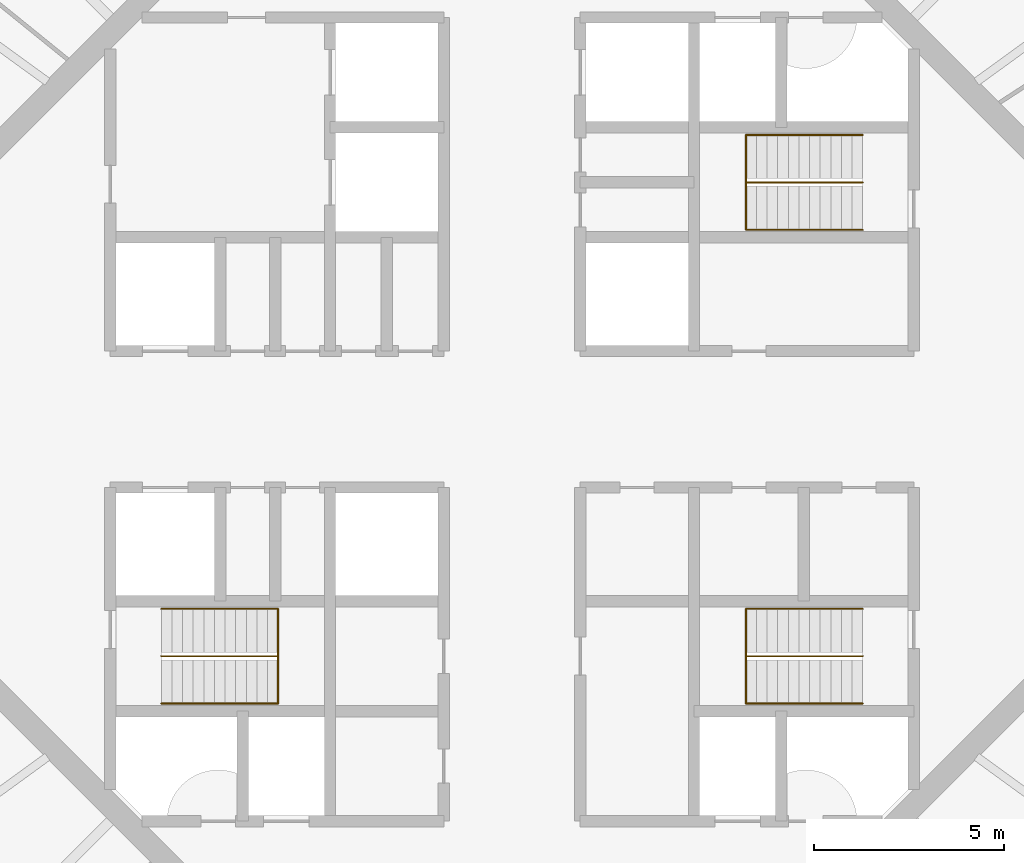
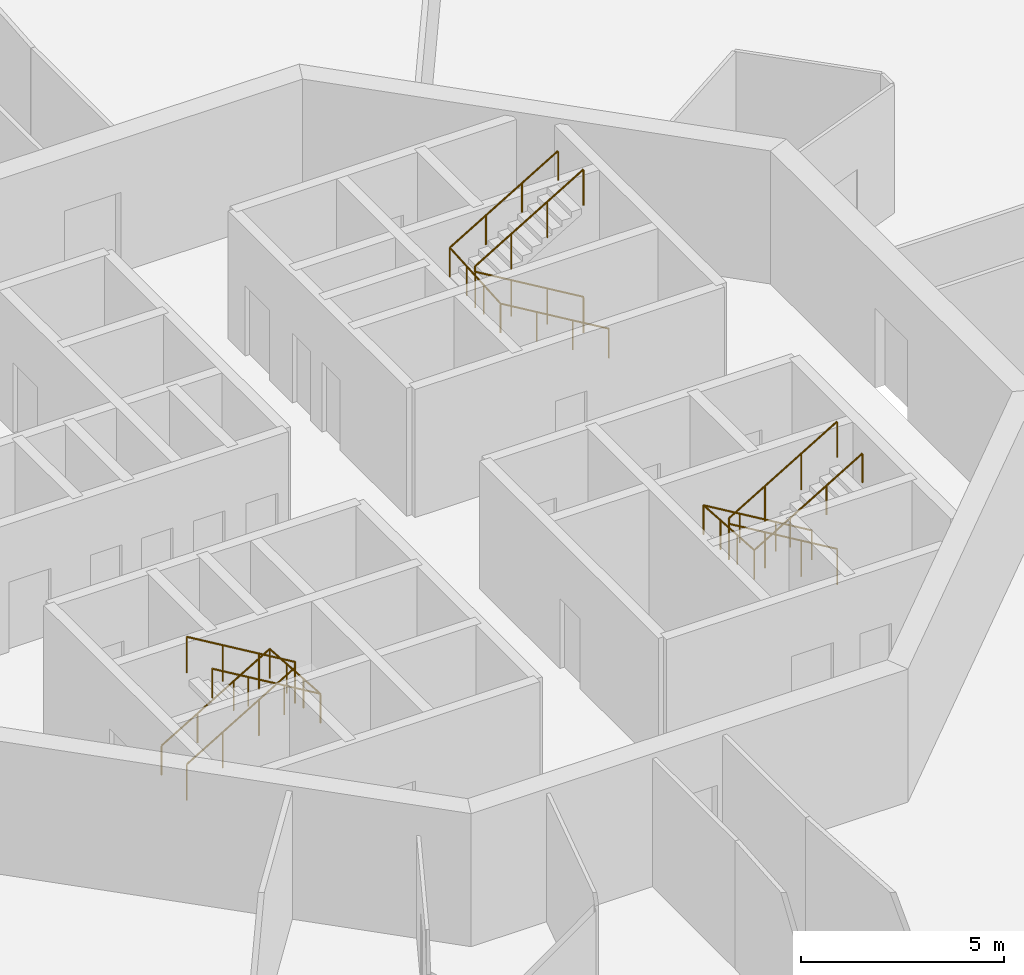
# One storey, part 13 of 13: 6 railings.
"""IFC4 building model written with IfcOpenShell, lengths in metres."""

from ifc_helpers import new_model, si_unit, direction, frame, origin, origin_2d, place, context, subcontext, project, spatial, circle, extrude, material, type_object, element, save


model = new_model("IFC4")

# Units and contexts
model_context = context("Model", 3, precision=1e-05, world=origin(), true_north=direction((0.0, 1.0)))
body_context = subcontext(model_context, "Body", "Model", "MODEL_VIEW")
ifc_project = project(units=[si_unit("LENGTHUNIT", "METRE"), si_unit("AREAUNIT", "SQUARE_METRE"), si_unit("VOLUMEUNIT", "CUBIC_METRE"), si_unit("PLANEANGLEUNIT", "RADIAN"), si_unit("MASSUNIT", "GRAM", prefix="KILO")], contexts=[model_context])

# Site, building, storey
site_placement = place(None, origin())
site = spatial("IfcSite", under=ifc_project, at=site_placement, CompositionType="ELEMENT")
building_placement = place(site_placement, origin())
building = spatial("IfcBuilding", under=site, at=building_placement, Name="Entoto Ring Tower", CompositionType="ELEMENT")
storey_placement = place(building_placement, frame((0.0, 0.0, 380.0)))
storey = spatial("IfcBuildingStorey", under=building, at=storey_placement, Name="L88", CompositionType="ELEMENT", Elevation=380.0)

# Railings
ifc_material_1 = material(Name="Steel S275", Category="steel")
railing_type_1 = type_object("IfcRailingType", Name="Stair guard 1100 mm steel", PredefinedType="GUARDRAIL", material=ifc_material_1)
railing_1_placement = place(storey_placement, frame((99.25, 86.25, 0.166748046875)))
element("IfcRailing", 1, at=railing_1_placement, inside=storey, type_object=railing_type_1, Name="Guard ST1", PredefinedType="GUARDRAIL", context=body_context, shape_type="SweptSolid", body=[
    extrude(circle(Radius=0.02392578125, at=origin_2d()), frame((0.0, 0.0, 1.076171875), z_axis=(-0.859308565015, 0.0, 0.511457515432), x_axis=(0.0, -1.0, 0.0)), (0.0, 0.0, 1.0), 3.58447265625),
    extrude(circle(Radius=0.02392578125, at=origin_2d()), frame((-3.080078125, 0.0, 2.9091796875), z_axis=(0.0, 0.0, 1.0), x_axis=(1.0, 0.0, 0.0)), (0.0, 0.0, 1.0), 0.166748046875),
    extrude(circle(Radius=0.02392578125, at=origin_2d()), frame((-3.080078125, 0.0, 3.076171875), z_axis=(0.859308565015, 0.0, 0.511457515432), x_axis=(0.0, 1.0, 0.0)), (0.0, 0.0, 1.0), 3.58447265625),
    extrude(circle(Radius=0.02099609375, at=origin_2d()), origin(), (0.0, 0.0, 1.0), 1.052001953125),
    extrude(circle(Radius=0.02099609375, at=origin_2d()), frame((-1.026611328125, 0.0, 0.611083984375)), (0.0, 0.0, 1.0), 1.052001953125),
    extrude(circle(Radius=0.02099609375, at=origin_2d()), frame((-2.053466796875, 0.0, 1.22216796875)), (0.0, 0.0, 1.0), 1.052001953125),
    extrude(circle(Radius=0.02099609375, at=origin_2d()), frame((-3.080078125, 0.0, 1.833251953125)), (0.0, 0.0, 1.0), 1.052001953125),
    extrude(circle(Radius=0.02099609375, at=origin_2d()), frame((-3.080078125, 0.0, 2.0)), (0.0, 0.0, 1.0), 1.052001953125),
    extrude(circle(Radius=0.02099609375, at=origin_2d()), frame((-2.053466796875, 0.0, 2.611083984375)), (0.0, 0.0, 1.0), 1.052001953125),
    extrude(circle(Radius=0.02099609375, at=origin_2d()), frame((-1.026611328125, 0.0, 3.22216796875)), (0.0, 0.0, 1.0), 1.052001953125),
    extrude(circle(Radius=0.02099609375, at=origin_2d()), frame((0.0, 0.0, 3.833251953125)), (0.0, 0.0, 1.0), 1.052001953125),
])
railing_2_placement = place(storey_placement, frame((80.75, 73.75, 0.166748046875)))
element("IfcRailing", 2, at=railing_2_placement, inside=storey, type_object=railing_type_1, Name="Guard ST2", PredefinedType="GUARDRAIL", context=body_context, shape_type="SweptSolid", body=[
    extrude(circle(Radius=0.02392578125, at=origin_2d()), frame((0.0, 0.0, 1.076171875), z_axis=(0.859308565015, 0.0, 0.511457515432), x_axis=(0.0, 1.0, 0.0)), (0.0, 0.0, 1.0), 3.58447265625),
    extrude(circle(Radius=0.02392578125, at=origin_2d()), frame((3.080078125, 0.0, 2.9091796875), z_axis=(0.0, 0.0, 1.0), x_axis=(1.0, 0.0, 0.0)), (0.0, 0.0, 1.0), 0.166748046875),
    extrude(circle(Radius=0.02392578125, at=origin_2d()), frame((3.080078125, 0.0, 3.076171875), z_axis=(-0.859308565015, 0.0, 0.511457515432), x_axis=(0.0, -1.0, 0.0)), (0.0, 0.0, 1.0), 3.58447265625),
    extrude(circle(Radius=0.02099609375, at=origin_2d()), origin(), (0.0, 0.0, 1.0), 1.052001953125),
    extrude(circle(Radius=0.02099609375, at=origin_2d()), frame((1.026611328125, 0.0, 0.611083984375)), (0.0, 0.0, 1.0), 1.052001953125),
    extrude(circle(Radius=0.02099609375, at=origin_2d()), frame((2.053466796875, 0.0, 1.22216796875)), (0.0, 0.0, 1.0), 1.052001953125),
    extrude(circle(Radius=0.02099609375, at=origin_2d()), frame((3.080078125, 0.0, 1.833251953125)), (0.0, 0.0, 1.0), 1.052001953125),
    extrude(circle(Radius=0.02099609375, at=origin_2d()), frame((3.080078125, 0.0, 2.0)), (0.0, 0.0, 1.0), 1.052001953125),
    extrude(circle(Radius=0.02099609375, at=origin_2d()), frame((2.053466796875, 0.0, 2.611083984375)), (0.0, 0.0, 1.0), 1.052001953125),
    extrude(circle(Radius=0.02099609375, at=origin_2d()), frame((1.026611328125, 0.0, 3.22216796875)), (0.0, 0.0, 1.0), 1.052001953125),
    extrude(circle(Radius=0.02099609375, at=origin_2d()), frame((0.0, 0.0, 3.833251953125)), (0.0, 0.0, 1.0), 1.052001953125),
])
railing_3_placement = place(storey_placement, frame((99.25, 73.75, 0.166748046875)))
element("IfcRailing", 3, at=railing_3_placement, inside=storey, type_object=railing_type_1, Name="Guard ST3", PredefinedType="GUARDRAIL", context=body_context, shape_type="SweptSolid", body=[
    extrude(circle(Radius=0.02392578125, at=origin_2d()), frame((0.0, 0.0, 1.076171875), z_axis=(-0.859308565015, 0.0, 0.511457515432), x_axis=(0.0, -1.0, 0.0)), (0.0, 0.0, 1.0), 3.58447265625),
    extrude(circle(Radius=0.02392578125, at=origin_2d()), frame((-3.080078125, 0.0, 2.9091796875), z_axis=(0.0, 0.0, 1.0), x_axis=(1.0, 0.0, 0.0)), (0.0, 0.0, 1.0), 0.166748046875),
    extrude(circle(Radius=0.02392578125, at=origin_2d()), frame((-3.080078125, 0.0, 3.076171875), z_axis=(0.859308565015, 0.0, 0.511457515432), x_axis=(0.0, 1.0, 0.0)), (0.0, 0.0, 1.0), 3.58447265625),
    extrude(circle(Radius=0.02099609375, at=origin_2d()), origin(), (0.0, 0.0, 1.0), 1.052001953125),
    extrude(circle(Radius=0.02099609375, at=origin_2d()), frame((-1.026611328125, 0.0, 0.611083984375)), (0.0, 0.0, 1.0), 1.052001953125),
    extrude(circle(Radius=0.02099609375, at=origin_2d()), frame((-2.053466796875, 0.0, 1.22216796875)), (0.0, 0.0, 1.0), 1.052001953125),
    extrude(circle(Radius=0.02099609375, at=origin_2d()), frame((-3.080078125, 0.0, 1.833251953125)), (0.0, 0.0, 1.0), 1.052001953125),
    extrude(circle(Radius=0.02099609375, at=origin_2d()), frame((-3.080078125, 0.0, 2.0)), (0.0, 0.0, 1.0), 1.052001953125),
    extrude(circle(Radius=0.02099609375, at=origin_2d()), frame((-2.053466796875, 0.0, 2.611083984375)), (0.0, 0.0, 1.0), 1.052001953125),
    extrude(circle(Radius=0.02099609375, at=origin_2d()), frame((-1.026611328125, 0.0, 3.22216796875)), (0.0, 0.0, 1.0), 1.052001953125),
    extrude(circle(Radius=0.02099609375, at=origin_2d()), frame((0.0, 0.0, 3.833251953125)), (0.0, 0.0, 1.0), 1.052001953125),
])
ifc_material_2 = material(Name="Steel S275", Category="steel")
railing_type_2 = type_object("IfcRailingType", Name="Stair handrail 900 mm steel", PredefinedType="HANDRAIL", material=ifc_material_2)
railing_4_placement = place(storey_placement, frame((99.25, 85.0, 0.166748046875)))
element("IfcRailing", 4, at=railing_4_placement, inside=storey, type_object=railing_type_2, Name="Handrail ST1", PredefinedType="HANDRAIL", context=body_context, shape_type="SweptSolid", body=[
    extrude(circle(Radius=0.02392578125, at=origin_2d()), frame((0.0, 0.0, 0.8759765625), z_axis=(-0.859308565015, 0.0, 0.511457515432), x_axis=(0.0, -1.0, 0.0)), (0.0, 0.0, 1.0), 3.58447265625),
    extrude(circle(Radius=0.02392578125, at=origin_2d()), frame((-3.080078125, 0.0, 2.708984375), z_axis=(0.0, 0.997783001586, 0.066551346688), x_axis=(-1.0, 0.0, 0.0)), (0.0, 0.0, 1.0), 2.505615234375),
    extrude(circle(Radius=0.02392578125, at=origin_2d()), frame((-3.080078125, 2.5, 2.8759765625), z_axis=(0.859308565015, 0.0, 0.511457515432), x_axis=(0.0, 1.0, 0.0)), (0.0, 0.0, 1.0), 3.58447265625),
    extrude(circle(Radius=0.02099609375, at=origin_2d()), origin(), (0.0, 0.0, 1.0), 0.851806640625),
    extrude(circle(Radius=0.02099609375, at=origin_2d()), frame((-1.026611328125, 0.0, 0.611083984375)), (0.0, 0.0, 1.0), 0.851806640625),
    extrude(circle(Radius=0.02099609375, at=origin_2d()), frame((-2.053466796875, 0.0, 1.22216796875)), (0.0, 0.0, 1.0), 0.851806640625),
    extrude(circle(Radius=0.02099609375, at=origin_2d()), frame((-3.080078125, 0.0, 1.833251953125)), (0.0, 0.0, 1.0), 0.851806640625),
    extrude(circle(Radius=0.02099609375, at=origin_2d()), frame((-3.080078125, 0.833251953125, 1.888916015625)), (0.0, 0.0, 1.0), 0.851806640625),
    extrude(circle(Radius=0.02099609375, at=origin_2d()), frame((-3.080078125, 1.666748046875, 1.9443359375)), (0.0, 0.0, 1.0), 0.851806640625),
    extrude(circle(Radius=0.02099609375, at=origin_2d()), frame((-3.080078125, 2.5, 2.0)), (0.0, 0.0, 1.0), 0.851806640625),
    extrude(circle(Radius=0.02099609375, at=origin_2d()), frame((-2.053466796875, 2.5, 2.611083984375)), (0.0, 0.0, 1.0), 0.851806640625),
    extrude(circle(Radius=0.02099609375, at=origin_2d()), frame((-1.026611328125, 2.5, 3.22216796875)), (0.0, 0.0, 1.0), 0.851806640625),
    extrude(circle(Radius=0.02099609375, at=origin_2d()), frame((0.0, 2.5, 3.833251953125)), (0.0, 0.0, 1.0), 0.851806640625),
])
railing_5_placement = place(storey_placement, frame((80.75, 75.0, 0.166748046875)))
element("IfcRailing", 5, at=railing_5_placement, inside=storey, type_object=railing_type_2, Name="Handrail ST2", PredefinedType="HANDRAIL", context=body_context, shape_type="SweptSolid", body=[
    extrude(circle(Radius=0.02392578125, at=origin_2d()), frame((0.0, 0.0, 0.8759765625), z_axis=(0.859308565015, 0.0, 0.511457515432), x_axis=(0.0, 1.0, 0.0)), (0.0, 0.0, 1.0), 3.58447265625),
    extrude(circle(Radius=0.02392578125, at=origin_2d()), frame((3.080078125, 0.0, 2.708984375), z_axis=(0.0, -0.997783001586, 0.066551346688), x_axis=(1.0, 0.0, 0.0)), (0.0, 0.0, 1.0), 2.505615234375),
    extrude(circle(Radius=0.02392578125, at=origin_2d()), frame((3.080078125, -2.5, 2.8759765625), z_axis=(-0.859308565015, 0.0, 0.511457515432), x_axis=(0.0, -1.0, 0.0)), (0.0, 0.0, 1.0), 3.58447265625),
    extrude(circle(Radius=0.02099609375, at=origin_2d()), origin(), (0.0, 0.0, 1.0), 0.851806640625),
    extrude(circle(Radius=0.02099609375, at=origin_2d()), frame((1.026611328125, 0.0, 0.611083984375)), (0.0, 0.0, 1.0), 0.851806640625),
    extrude(circle(Radius=0.02099609375, at=origin_2d()), frame((2.053466796875, 0.0, 1.22216796875)), (0.0, 0.0, 1.0), 0.851806640625),
    extrude(circle(Radius=0.02099609375, at=origin_2d()), frame((3.080078125, 0.0, 1.833251953125)), (0.0, 0.0, 1.0), 0.851806640625),
    extrude(circle(Radius=0.02099609375, at=origin_2d()), frame((3.080078125, -0.833251953125, 1.888916015625)), (0.0, 0.0, 1.0), 0.851806640625),
    extrude(circle(Radius=0.02099609375, at=origin_2d()), frame((3.080078125, -1.666748046875, 1.9443359375)), (0.0, 0.0, 1.0), 0.851806640625),
    extrude(circle(Radius=0.02099609375, at=origin_2d()), frame((3.080078125, -2.5, 2.0)), (0.0, 0.0, 1.0), 0.851806640625),
    extrude(circle(Radius=0.02099609375, at=origin_2d()), frame((2.053466796875, -2.5, 2.611083984375)), (0.0, 0.0, 1.0), 0.851806640625),
    extrude(circle(Radius=0.02099609375, at=origin_2d()), frame((1.026611328125, -2.5, 3.22216796875)), (0.0, 0.0, 1.0), 0.851806640625),
    extrude(circle(Radius=0.02099609375, at=origin_2d()), frame((0.0, -2.5, 3.833251953125)), (0.0, 0.0, 1.0), 0.851806640625),
])
railing_6_placement = place(storey_placement, frame((99.25, 75.0, 0.166748046875)))
element("IfcRailing", 6, at=railing_6_placement, inside=storey, type_object=railing_type_2, Name="Handrail ST3", PredefinedType="HANDRAIL", context=body_context, shape_type="SweptSolid", body=[
    extrude(circle(Radius=0.02392578125, at=origin_2d()), frame((0.0, 0.0, 0.8759765625), z_axis=(-0.859308565015, 0.0, 0.511457515432), x_axis=(0.0, -1.0, 0.0)), (0.0, 0.0, 1.0), 3.58447265625),
    extrude(circle(Radius=0.02392578125, at=origin_2d()), frame((-3.080078125, 0.0, 2.708984375), z_axis=(0.0, -0.997783001586, 0.066551346688), x_axis=(1.0, 0.0, 0.0)), (0.0, 0.0, 1.0), 2.505615234375),
    extrude(circle(Radius=0.02392578125, at=origin_2d()), frame((-3.080078125, -2.5, 2.8759765625), z_axis=(0.859308565015, 0.0, 0.511457515432), x_axis=(0.0, 1.0, 0.0)), (0.0, 0.0, 1.0), 3.58447265625),
    extrude(circle(Radius=0.02099609375, at=origin_2d()), origin(), (0.0, 0.0, 1.0), 0.851806640625),
    extrude(circle(Radius=0.02099609375, at=origin_2d()), frame((-1.026611328125, 0.0, 0.611083984375)), (0.0, 0.0, 1.0), 0.851806640625),
    extrude(circle(Radius=0.02099609375, at=origin_2d()), frame((-2.053466796875, 0.0, 1.22216796875)), (0.0, 0.0, 1.0), 0.851806640625),
    extrude(circle(Radius=0.02099609375, at=origin_2d()), frame((-3.080078125, 0.0, 1.833251953125)), (0.0, 0.0, 1.0), 0.851806640625),
    extrude(circle(Radius=0.02099609375, at=origin_2d()), frame((-3.080078125, -0.833251953125, 1.888916015625)), (0.0, 0.0, 1.0), 0.851806640625),
    extrude(circle(Radius=0.02099609375, at=origin_2d()), frame((-3.080078125, -1.666748046875, 1.9443359375)), (0.0, 0.0, 1.0), 0.851806640625),
    extrude(circle(Radius=0.02099609375, at=origin_2d()), frame((-3.080078125, -2.5, 2.0)), (0.0, 0.0, 1.0), 0.851806640625),
    extrude(circle(Radius=0.02099609375, at=origin_2d()), frame((-2.053466796875, -2.5, 2.611083984375)), (0.0, 0.0, 1.0), 0.851806640625),
    extrude(circle(Radius=0.02099609375, at=origin_2d()), frame((-1.026611328125, -2.5, 3.22216796875)), (0.0, 0.0, 1.0), 0.851806640625),
    extrude(circle(Radius=0.02099609375, at=origin_2d()), frame((0.0, -2.5, 3.833251953125)), (0.0, 0.0, 1.0), 0.851806640625),
])

save(model, "model.ifc")
